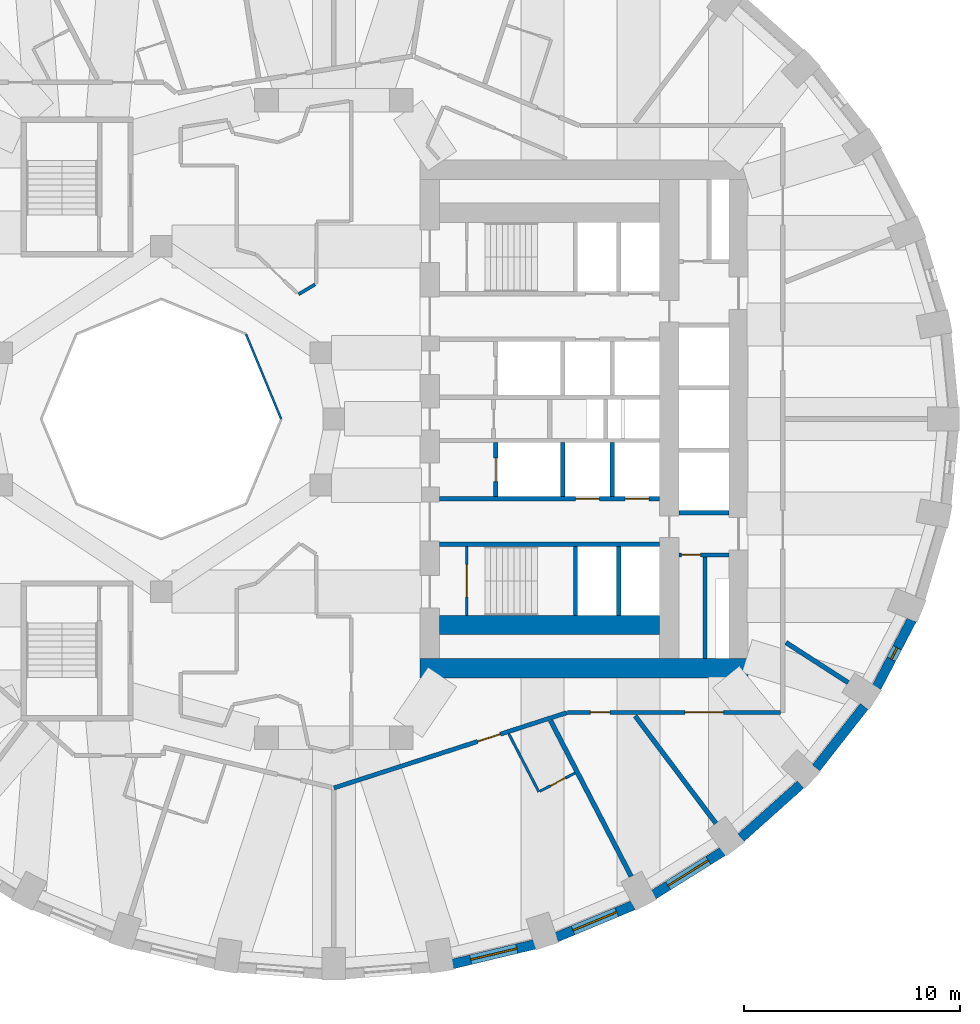
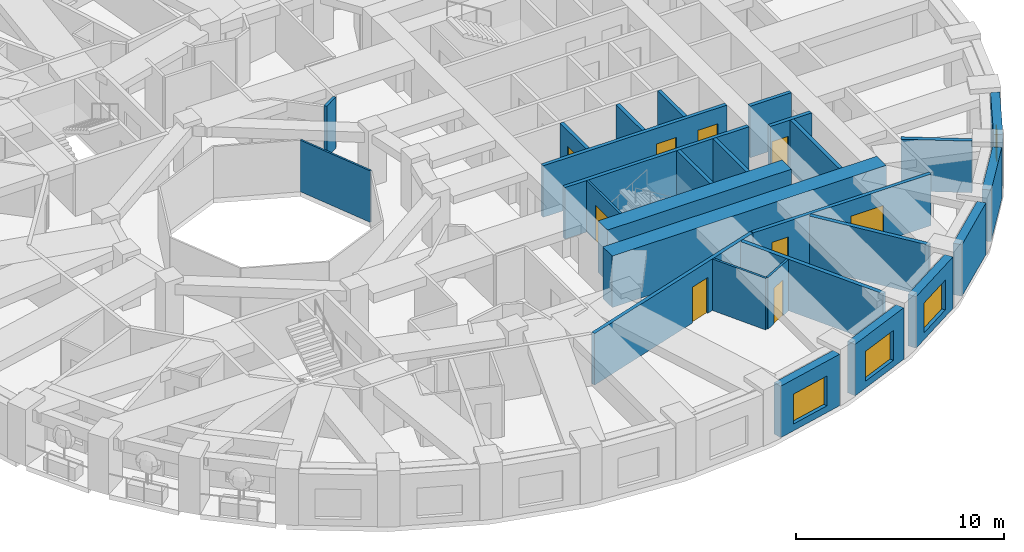
# One storey, part 5 of 13: 28 walls, 9 doors, 4 windows, 13 openings.
"""IFC4 building model written with IfcOpenShell, lengths in metres."""

from ifc_helpers import new_model, si_unit, direction, frame, frame_2d, origin, place, context, subcontext, project, spatial, rectangle, extrude, material, layer, layer_set, type_object, element, fill, save


model = new_model("IFC4")

# Units and contexts
model_context = context("Model", 3, precision=1e-05, world=origin(), true_north=direction((0.0, 1.0)))
body_context = subcontext(model_context, "Body", "Model", "MODEL_VIEW")
ifc_project = project(units=[si_unit("LENGTHUNIT", "METRE"), si_unit("AREAUNIT", "SQUARE_METRE"), si_unit("VOLUMEUNIT", "CUBIC_METRE"), si_unit("PLANEANGLEUNIT", "RADIAN"), si_unit("MASSUNIT", "GRAM", prefix="KILO")], contexts=[model_context])

# Site, building, storey
site_placement = place(None, origin())
site = spatial("IfcSite", under=ifc_project, at=site_placement, CompositionType="ELEMENT")
building_placement = place(site_placement, origin())
building = spatial("IfcBuilding", under=site, at=building_placement, Name="Taillehof Tower", CompositionType="ELEMENT")
storey_placement = place(building_placement, frame((0.0, 0.0, 58.0)))
storey = spatial("IfcBuildingStorey", under=building, at=storey_placement, Name="L15", CompositionType="ELEMENT", Elevation=58.0)

# Wall
ifc_material_1 = material(Name="Fire-resisting glass in steel frame", Category="steel")
ifc_layer_1 = layer(ifc_material_1, 0.10009765625)
ifc_layer_set_1 = layer_set([ifc_layer_1], Name="Atrium fire-resisting screen EI 60 100")
wall_type_1 = type_object("IfcWallType", Name="Atrium fire-resisting screen EI 60 100", PredefinedType="PARTITIONING", material=ifc_layer_set_1)
wall_1_placement = place(storey_placement, frame((-4.07275390625, 3.92724609375, 0.0), z_axis=(0.0, 0.0, 1.0), x_axis=(0.382730523909, -0.923860025149, 0.0)))
element("IfcWall", 1, at=wall_1_placement, inside=storey, type_object=wall_type_1, Name="Atrium screen", PredefinedType="PARTITIONING", context=body_context, shape_type="SweptSolid", body=[
    extrude(rectangle(XDim=4.2509765625, YDim=0.10009765625, at=frame_2d((2.12548828125, 0.0))), origin(), (0.0, 0.0, 1.0), 3.02001953125),
])

# Wall, opening, window
ifc_material_2 = material(Name="Brick masonry", Category="masonry")
ifc_layer_2 = layer(ifc_material_2, 0.449951171875)
ifc_layer_set_2 = layer_set([ifc_layer_2], Name="Brick infill wall 450")
wall_type_2 = type_object("IfcWallType", Name="Brick infill wall 450", PredefinedType="SOLIDWALL", material=ifc_layer_set_2)
wall_2_placement = place(storey_placement, frame((5.50439453125, -25.260498046875, 0.0), z_axis=(0.0, 0.0, 1.0), x_axis=(0.972496561493, 0.232917233979, 0.0)))
wall_2 = element("IfcWall", 2, at=wall_2_placement, inside=storey, type_object=wall_type_2, Name="Brick wall L15 bay 29", PredefinedType="SOLIDWALL", context=body_context, shape_type="SweptSolid", body=[
    extrude(rectangle(XDim=3.910888671875, YDim=0.449951171875, at=frame_2d((1.95556640625, 0.0))), origin(), (0.0, 0.0, 1.0), 3.02001953125),
])
opening_1_placement = place(wall_2_placement, frame((0.855224609375, 0.0, 0.39990234375)))
opening_1 = element("IfcOpeningElement", 3, at=opening_1_placement, cuts=wall_2, Name="Opening W1", PredefinedType="OPENING", context=body_context, shape_type="SweptSolid", body=[
    extrude(rectangle(XDim=2.199951171875, YDim=1.75, at=frame_2d((1.10009765625, 0.875))), frame((0.0, 0.23486328125, 0.0), z_axis=(0.0, -1.0, 0.0), x_axis=(1.0, 0.0, 0.0)), (0.0, 0.0, 1.0), 0.469970703125),
])
ifc_material_3 = material(Name="Aluminium window frame with clear double glazing", Category="aluminium")
window_type_1 = type_object("IfcWindowType", Name="Deep-set window 2200x1750", PartitioningType="SINGLE_PANEL", PredefinedType="WINDOW", material=ifc_material_3)
window_1_placement = place(opening_1_placement, origin())
window_1 = element("IfcWindow", 4, at=window_1_placement, inside=storey, type_object=window_type_1, Name="W1", OverallHeight=1.75, OverallWidth=2.199951171875, PartitioningType="SINGLE_PANEL", PredefinedType="WINDOW", context=body_context, shape_type="SweptSolid", body=[
    extrude(rectangle(XDim=2.199951171875, YDim=1.75, at=frame_2d((1.10009765625, 0.875))), frame((0.0, 0.034912109375, 0.0), z_axis=(0.0, -1.0, 0.0), x_axis=(1.0, 0.0, 0.0)), (0.0, 0.0, 1.0), 0.06005859375),
])
fill(opening_1, window_1)

wall_3_placement = place(storey_placement, frame((10.3154296875, -24.02099609375, 0.0), z_axis=(0.0, 0.0, 1.0), x_axis=(0.923031964282, 0.384723267966, 0.0)))
wall_3 = element("IfcWall", 5, at=wall_3_placement, inside=storey, type_object=wall_type_2, Name="Brick wall L15 bay 30", PredefinedType="SOLIDWALL", context=body_context, shape_type="SweptSolid", body=[
    extrude(rectangle(XDim=3.8564453125, YDim=0.449951171875, at=frame_2d((1.92822265625, 0.0))), origin(), (0.0, 0.0, 1.0), 3.02001953125),
])
opening_2_placement = place(wall_3_placement, frame((0.828125, 0.0, 0.39990234375)))
opening_2 = element("IfcOpeningElement", 6, at=opening_2_placement, cuts=wall_3, Name="Opening W1", PredefinedType="OPENING", context=body_context, shape_type="SweptSolid", body=[
    extrude(rectangle(XDim=2.199951171875, YDim=1.75, at=frame_2d((1.10009765625, 0.875))), frame((0.0, 0.23486328125, 0.0), z_axis=(0.0, -1.0, 0.0), x_axis=(1.0, 0.0, 0.0)), (0.0, 0.0, 1.0), 0.469970703125),
])
window_2_placement = place(opening_2_placement, origin())
window_2 = element("IfcWindow", 7, at=window_2_placement, inside=storey, type_object=window_type_1, Name="W1", OverallHeight=1.75, OverallWidth=2.199951171875, PartitioningType="SINGLE_PANEL", PredefinedType="WINDOW", context=body_context, shape_type="SweptSolid", body=[
    extrude(rectangle(XDim=2.199951171875, YDim=1.75, at=frame_2d((1.10009765625, 0.875))), frame((0.0, 0.034912109375, 0.0), z_axis=(0.0, -1.0, 0.0), x_axis=(1.0, 0.0, 0.0)), (0.0, 0.0, 1.0), 0.06005859375),
])
fill(opening_2, window_2)

wall_4_placement = place(storey_placement, frame((14.81689453125, -22.050537109375, 0.0), z_axis=(0.0, 0.0, 1.0), x_axis=(0.847635480093, 0.530579016629, 0.0)))
wall_4 = element("IfcWall", 8, at=wall_4_placement, inside=storey, type_object=wall_type_2, Name="Brick wall L15 bay 31", PredefinedType="SOLIDWALL", context=body_context, shape_type="SweptSolid", body=[
    extrude(rectangle(XDim=3.782470703125, YDim=0.449951171875, at=frame_2d((1.89111328125, 0.0))), origin(), (0.0, 0.0, 1.0), 3.02001953125),
])
opening_3_placement = place(wall_4_placement, frame((0.791259765625, 0.0, 0.39990234375)))
opening_3 = element("IfcOpeningElement", 9, at=opening_3_placement, cuts=wall_4, Name="Opening W1", PredefinedType="OPENING", context=body_context, shape_type="SweptSolid", body=[
    extrude(rectangle(XDim=2.199951171875, YDim=1.75, at=frame_2d((1.10009765625, 0.875))), frame((0.0, 0.23486328125, 0.0), z_axis=(0.0, -1.0, 0.0), x_axis=(1.0, 0.0, 0.0)), (0.0, 0.0, 1.0), 0.469970703125),
])
window_3_placement = place(opening_3_placement, origin())
window_3 = element("IfcWindow", 10, at=window_3_placement, inside=storey, type_object=window_type_1, Name="W1", OverallHeight=1.75, OverallWidth=2.199951171875, PartitioningType="SINGLE_PANEL", PredefinedType="WINDOW", context=body_context, shape_type="SweptSolid", body=[
    extrude(rectangle(XDim=2.199951171875, YDim=1.75, at=frame_2d((1.10009765625, 0.875))), frame((0.0, 0.034912109375, 0.0), z_axis=(0.0, -1.0, 0.0), x_axis=(1.0, 0.0, 0.0)), (0.0, 0.0, 1.0), 0.06005859375),
])
fill(opening_3, window_3)

# Walls
wall_5_placement = place(storey_placement, frame((18.87060546875, -19.406982421875, 0.0), z_axis=(0.0, 0.0, 1.0), x_axis=(0.745526233716, 0.66647628228, 0.0)))
element("IfcWall", 11, at=wall_5_placement, inside=storey, type_object=wall_type_2, Name="Brick wall L15 bay 32", PredefinedType="SOLIDWALL", context=body_context, shape_type="SweptSolid", body=[
    extrude(rectangle(XDim=3.69677734375, YDim=0.449951171875, at=frame_2d((1.848388671875, 0.0))), origin(), (0.0, 0.0, 1.0), 3.02001953125),
])
wall_6_placement = place(storey_placement, frame((22.3515625, -16.169677734375, 0.0), z_axis=(0.0, 0.0, 1.0), x_axis=(0.616661975264, 0.787228053529, 0.0)))
element("IfcWall", 12, at=wall_6_placement, inside=storey, type_object=wall_type_2, Name="Brick wall L15 bay 33", PredefinedType="SOLIDWALL", context=body_context, shape_type="SweptSolid", body=[
    extrude(rectangle(XDim=3.60986328125, YDim=0.449951171875, at=frame_2d((1.804931640625, 0.0))), origin(), (0.0, 0.0, 1.0), 3.02001953125),
])

# Wall, opening, window
wall_7_placement = place(storey_placement, frame((25.152099609375, -12.436767578125, 0.0), z_axis=(0.0, 0.0, 1.0), x_axis=(0.462492775226, 0.886623050041, 0.0)))
wall_7 = element("IfcWall", 13, at=wall_7_placement, inside=storey, type_object=wall_type_2, Name="Brick wall L15 bay 34", PredefinedType="SOLIDWALL", context=body_context, shape_type="SweptSolid", body=[
    extrude(rectangle(XDim=3.531982421875, YDim=0.449951171875, at=frame_2d((1.76611328125, 0.0))), origin(), (0.0, 0.0, 1.0), 3.02001953125),
])
opening_4_placement = place(wall_7_placement, frame((1.466064453125, 0.0, 0.39990234375)))
opening_4 = element("IfcOpeningElement", 14, at=opening_4_placement, cuts=wall_7, Name="Opening W6", PredefinedType="OPENING", context=body_context, shape_type="SweptSolid", body=[
    extrude(rectangle(XDim=0.60009765625, YDim=1.75, at=frame_2d((0.300048828125, 0.875))), frame((0.0, 0.23486328125, 0.0), z_axis=(0.0, -1.0, 0.0), x_axis=(1.0, 0.0, 0.0)), (0.0, 0.0, 1.0), 0.469970703125),
])
ifc_material_4 = material(Name="Aluminium window frame with clear double glazing", Category="aluminium")
window_type_2 = type_object("IfcWindowType", Name="Slot window 600x1750", PartitioningType="SINGLE_PANEL", PredefinedType="WINDOW", material=ifc_material_4)
window_4_placement = place(opening_4_placement, origin())
window_4 = element("IfcWindow", 15, at=window_4_placement, inside=storey, type_object=window_type_2, Name="W6", OverallHeight=1.75, OverallWidth=0.60009765625, PartitioningType="SINGLE_PANEL", PredefinedType="WINDOW", context=body_context, shape_type="SweptSolid", body=[
    extrude(rectangle(XDim=0.60009765625, YDim=1.75, at=frame_2d((0.300048828125, 0.875))), frame((0.0, 0.034912109375, 0.0), z_axis=(0.0, -1.0, 0.0), x_axis=(1.0, 0.0, 0.0)), (0.0, 0.0, 1.0), 0.06005859375),
])
fill(opening_4, window_4)

# Wall, opening, door
ifc_material_5 = material(Name="Calcium silicate masonry", Category="masonry")
ifc_layer_3 = layer(ifc_material_5, 0.199951171875)
ifc_layer_set_3 = layer_set([ifc_layer_3], Name="Compartment wall calcium silicate 200")
wall_type_3 = type_object("IfcWallType", Name="Compartment wall calcium silicate 200", PredefinedType="PARTITIONING", material=ifc_layer_set_3)
wall_8_placement = place(storey_placement, frame((16.0, -6.300048828125, 0.0), z_axis=(0.0, 0.0, 1.0), x_axis=(1.0, 0.0, 0.0)))
wall_8 = element("IfcWall", 16, at=wall_8_placement, inside=storey, type_object=wall_type_3, Name="Compartment wall FW", PredefinedType="PARTITIONING", context=body_context, shape_type="SweptSolid", body=[
    extrude(rectangle(XDim=2.300048828125, YDim=0.199951171875, at=frame_2d((1.14990234375, 0.0))), origin(), (0.0, 0.0, 1.0), 3.02001953125),
])
opening_5_placement = place(wall_8_placement, frame((0.10009765625, 0.0, 0.0)))
opening_5 = element("IfcOpeningElement", 17, at=opening_5_placement, cuts=wall_8, Name="Opening D1518", PredefinedType="OPENING", context=body_context, shape_type="SweptSolid", body=[
    extrude(rectangle(XDim=0.89990234375, YDim=2.10009765625, at=frame_2d((0.449951171875, 1.050048828125))), frame((0.0, 0.10986328125, 0.0), z_axis=(0.0, -1.0, 0.0), x_axis=(1.0, 0.0, 0.0)), (0.0, 0.0, 1.0), 0.219970703125),
])
ifc_material_6 = material(Name="Steel-faced fire door", Category="steel")
door_type_1 = type_object("IfcDoorType", Name="Riser and service room door 900x2100", OperationType="SINGLE_SWING_LEFT", PredefinedType="DOOR", material=ifc_material_6)
door_1_placement = place(opening_5_placement, origin())
door_1 = element("IfcDoor", 18, at=door_1_placement, inside=storey, type_object=door_type_1, Name="Door Ice Room", OperationType="SINGLE_SWING_LEFT", OverallHeight=2.10009765625, OverallWidth=0.89990234375, PredefinedType="DOOR", context=body_context, shape_type="SweptSolid", body=[
    extrude(rectangle(XDim=0.89990234375, YDim=2.10009765625, at=frame_2d((0.449951171875, 1.050048828125))), frame((0.0, 0.02490234375, 0.0), z_axis=(0.0, -1.0, 0.0), x_axis=(1.0, 0.0, 0.0)), (0.0, 0.0, 1.0), 0.050048828125),
])
fill(opening_5, door_1)

# Wall
wall_9_placement = place(storey_placement, frame((17.199951171875, -11.10009765625, 0.0), z_axis=(0.0, 0.0, 1.0), x_axis=(0.0, 1.0, 0.0)))
element("IfcWall", 19, at=wall_9_placement, inside=storey, type_object=wall_type_3, Name="Compartment wall FW", PredefinedType="PARTITIONING", context=body_context, shape_type="SweptSolid", body=[
    extrude(rectangle(XDim=4.7001953125, YDim=0.199951171875, at=frame_2d((2.35009765625, 0.0))), origin(), (0.0, 0.0, 1.0), 3.02001953125),
])

# Wall, openings, doors
ifc_material_7 = material(Name="Gypsum board on steel studs, two layers each side", Category="steel")
ifc_layer_4 = layer(ifc_material_7, 0.199951171875)
ifc_layer_set_4 = layer_set([ifc_layer_4], Name="Compartment wall corridor 200")
wall_type_4 = type_object("IfcWallType", Name="Compartment wall corridor 200", PredefinedType="PARTITIONING", material=ifc_layer_set_4)
wall_10_placement = place(storey_placement, frame((20.699951171875, -13.60009765625, 0.0), z_axis=(0.0, 0.0, 1.0), x_axis=(-1.0, 0.0, 0.0)))
wall_10 = element("IfcWall", 20, at=wall_10_placement, inside=storey, type_object=wall_type_4, Name="Compartment wall", PredefinedType="PARTITIONING", context=body_context, shape_type="SweptSolid", body=[
    extrude(rectangle(XDim=9.86962890625, YDim=0.199951171875, at=frame_2d((4.934814453125, 0.0))), origin(), (0.0, 0.0, 1.0), 3.02001953125),
])
opening_6_placement = place(wall_10_placement, frame((7.9091796875, 0.0, 0.0)))
opening_6 = element("IfcOpeningElement", 21, at=opening_6_placement, cuts=wall_10, Name="Opening D1563", PredefinedType="OPENING", context=body_context, shape_type="SweptSolid", body=[
    extrude(rectangle(XDim=0.89990234375, YDim=2.10009765625, at=frame_2d((0.449951171875, 1.050048828125))), frame((0.0, 0.10986328125, 0.0), z_axis=(0.0, -1.0, 0.0), x_axis=(1.0, 0.0, 0.0)), (0.0, 0.0, 1.0), 0.219970703125),
])
opening_7_placement = place(wall_10_placement, frame((2.6376953125, 0.0, 0.0)))
opening_7 = element("IfcOpeningElement", 22, at=opening_7_placement, cuts=wall_10, Name="Opening D1564", PredefinedType="OPENING", context=body_context, shape_type="SweptSolid", body=[
    extrude(rectangle(XDim=1.800048828125, YDim=2.10009765625, at=frame_2d((0.89990234375, 1.050048828125))), frame((0.0, 0.10986328125, 0.0), z_axis=(0.0, -1.0, 0.0), x_axis=(1.0, 0.0, 0.0)), (0.0, 0.0, 1.0), 0.219970703125),
])
ifc_material_8 = material(Name="Timber door leaf in steel frame", Category="steel")
door_type_2 = type_object("IfcDoorType", Name="Lounge and meeting room double door EI 30 1800 x 2100", OperationType="SINGLE_SWING_LEFT", PredefinedType="DOOR", material=ifc_material_8)
door_2_placement = place(opening_7_placement, origin())
door_2 = element("IfcDoor", 23, at=door_2_placement, inside=storey, type_object=door_type_2, Name="D1564", OperationType="DOUBLE_DOOR_SINGLE_SWING", OverallHeight=2.10009765625, OverallWidth=1.800048828125, PredefinedType="DOOR", context=body_context, shape_type="SweptSolid", body=[
    extrude(rectangle(XDim=1.800048828125, YDim=2.10009765625, at=frame_2d((0.89990234375, 1.050048828125))), frame((0.0, 0.02490234375, 0.0), z_axis=(0.0, -1.0, 0.0), x_axis=(1.0, 0.0, 0.0)), (0.0, 0.0, 1.0), 0.050048828125),
])
fill(opening_7, door_2)
ifc_material_9 = material(Name="Timber door leaf in steel frame", Category="steel")
door_type_3 = type_object("IfcDoorType", Name="Service room door EI 30 900 x 2100", OperationType="SINGLE_SWING_LEFT", PredefinedType="DOOR", material=ifc_material_9)
door_3_placement = place(opening_6_placement, origin())
door_3 = element("IfcDoor", 24, at=door_3_placement, inside=storey, type_object=door_type_3, Name="D1563", OperationType="SINGLE_SWING_RIGHT", OverallHeight=2.10009765625, OverallWidth=0.89990234375, PredefinedType="DOOR", context=body_context, shape_type="SweptSolid", body=[
    extrude(rectangle(XDim=0.89990234375, YDim=2.10009765625, at=frame_2d((0.449951171875, 1.050048828125))), frame((0.0, 0.02490234375, 0.0), z_axis=(0.0, -1.0, 0.0), x_axis=(1.0, 0.0, 0.0)), (0.0, 0.0, 1.0), 0.050048828125),
])
fill(opening_6, door_3)

# Wall, opening, door
wall_11_placement = place(storey_placement, frame((10.792236328125, -13.6123046875, 0.0), z_axis=(0.0, 0.0, 1.0), x_axis=(-0.951542928403, -0.307515943336, 0.0)))
wall_11 = element("IfcWall", 25, at=wall_11_placement, inside=storey, type_object=wall_type_4, Name="Compartment wall", PredefinedType="PARTITIONING", context=body_context, shape_type="SweptSolid", body=[
    extrude(rectangle(XDim=11.341796875, YDim=0.199951171875, at=frame_2d((5.6708984375, 0.0))), origin(), (0.0, 0.0, 1.0), 3.02001953125),
])
opening_8_placement = place(wall_11_placement, frame((3.238525390625, 0.0, 0.0)))
opening_8 = element("IfcOpeningElement", 26, at=opening_8_placement, cuts=wall_11, Name="Opening D1561", PredefinedType="OPENING", context=body_context, shape_type="SweptSolid", body=[
    extrude(rectangle(XDim=1.10009765625, YDim=2.10009765625, at=frame_2d((0.550048828125, 1.050048828125))), frame((0.0, 0.10986328125, 0.0), z_axis=(0.0, -1.0, 0.0), x_axis=(1.0, 0.0, 0.0)), (0.0, 0.0, 1.0), 0.219970703125),
])
ifc_material_10 = material(Name="Timber door leaf in steel frame", Category="steel")
door_type_4 = type_object("IfcDoorType", Name="Suite entrance door EI 30 1100 x 2100", OperationType="SINGLE_SWING_LEFT", PredefinedType="DOOR", material=ifc_material_10)
door_4_placement = place(opening_8_placement, origin())
door_4 = element("IfcDoor", 27, at=door_4_placement, inside=storey, type_object=door_type_4, Name="D1561", OperationType="SINGLE_SWING_LEFT", OverallHeight=2.10009765625, OverallWidth=1.10009765625, PredefinedType="DOOR", context=body_context, shape_type="SweptSolid", body=[
    extrude(rectangle(XDim=1.10009765625, YDim=2.10009765625, at=frame_2d((0.550048828125, 1.050048828125))), frame((0.0, 0.02490234375, 0.0), z_axis=(0.0, -1.0, 0.0), x_axis=(1.0, 0.0, 0.0)), (0.0, 0.0, 1.0), 0.050048828125),
])
fill(opening_8, door_4)

# Walls
ifc_material_11 = material(Name="Gypsum board on double steel studs with mineral wool", Category="steel")
ifc_layer_5 = layer(ifc_material_11, 0.219970703125)
ifc_layer_set_5 = layer_set([ifc_layer_5], Name="Compartment wall guest room 220")
wall_type_5 = type_object("IfcWallType", Name="Compartment wall guest room 220", PredefinedType="PARTITIONING", material=ifc_layer_set_5)
wall_12_placement = place(storey_placement, frame((13.7802734375, -21.201171875, 0.0), z_axis=(0.0, 0.0, 1.0), x_axis=(-0.459685115008, 0.888081975405, 0.0)))
element("IfcWall", 28, at=wall_12_placement, inside=storey, type_object=wall_type_5, Name="Compartment wall", PredefinedType="PARTITIONING", context=body_context, shape_type="SweptSolid", body=[
    extrude(rectangle(XDim=8.130615234375, YDim=0.219970703125, at=frame_2d((4.0654296875, 0.0))), origin(), (0.0, 0.0, 1.0), 3.02001953125),
])
wall_13_placement = place(storey_placement, frame((17.707763671875, -18.7431640625, 0.0), z_axis=(0.0, 0.0, 1.0), x_axis=(-0.601177883261, 0.799115231164, 0.0)))
element("IfcWall", 29, at=wall_13_placement, inside=storey, type_object=wall_type_5, Name="Compartment wall", PredefinedType="PARTITIONING", context=body_context, shape_type="SweptSolid", body=[
    extrude(rectangle(XDim=6.231201171875, YDim=0.219970703125, at=frame_2d((3.11572265625, 0.0))), origin(), (0.0, 0.0, 1.0), 3.02001953125),
])
wall_14_placement = place(storey_placement, frame((23.834716796875, -12.218994140625, 0.0), z_axis=(0.0, 0.0, 1.0), x_axis=(-0.840694872373, 0.541509124176, 0.0)))
element("IfcWall", 30, at=wall_14_placement, inside=storey, type_object=wall_type_5, Name="Compartment wall", PredefinedType="PARTITIONING", context=body_context, shape_type="SweptSolid", body=[
    extrude(rectangle(XDim=3.430419921875, YDim=0.219970703125, at=frame_2d((1.71533203125, 0.0))), origin(), (0.0, 0.0, 1.0), 3.02001953125),
])
ifc_material_12 = material(Name="Gypsum board on steel studs, two layers each side", Category="steel")
ifc_layer_6 = layer(ifc_material_12, 0.14990234375)
ifc_layer_set_6 = layer_set([ifc_layer_6], Name="Compartment wall service room 150")
wall_type_6 = type_object("IfcWallType", Name="Compartment wall service room 150", PredefinedType="PARTITIONING", material=ifc_layer_set_6)
wall_15_placement = place(storey_placement, frame((-0.87353515625, 6.234375, 0.0), z_axis=(0.0, 0.0, 1.0), x_axis=(-0.857759476535, -0.514051242984, 0.0)))
element("IfcWall", 31, at=wall_15_placement, inside=storey, type_object=wall_type_6, Name="Compartment wall", PredefinedType="PARTITIONING", context=body_context, shape_type="SweptSolid", body=[
    extrude(rectangle(XDim=0.888671875, YDim=0.14990234375, at=frame_2d((0.4443359375, 0.0))), origin(), (0.0, 0.0, 1.0), 3.02001953125),
])
ifc_material_13 = material(Name="Concrete C80/95", Category="concrete")
ifc_layer_7 = layer(ifc_material_13, 0.89990234375)
ifc_layer_set_7 = layer_set([ifc_layer_7], Name="Core wall C80/95 900")
wall_type_7 = type_object("IfcWallType", Name="Core wall C80/95 900", PredefinedType="SHEAR", material=ifc_layer_set_7)
wall_16_placement = place(storey_placement, frame((4.0, -11.550048828125, 0.0), z_axis=(0.0, 0.0, 1.0), x_axis=(1.0, 0.0, 0.0)))
element("IfcWall", 32, at=wall_16_placement, inside=storey, type_object=wall_type_7, Name="Core wall CW04", PredefinedType="SHEAR", context=body_context, shape_type="SweptSolid", body=[
    extrude(rectangle(XDim=15.199951171875, YDim=0.89990234375, at=frame_2d((7.60009765625, 0.0))), origin(), (0.0, 0.0, 1.0), 3.02001953125),
])
wall_17_placement = place(storey_placement, frame((4.89990234375, -9.550048828125, 0.0), z_axis=(0.0, 0.0, 1.0), x_axis=(1.0, 0.0, 0.0)))
element("IfcWall", 33, at=wall_17_placement, inside=storey, type_object=wall_type_7, Name="Core wall CW07", PredefinedType="SHEAR", context=body_context, shape_type="SweptSolid", body=[
    extrude(rectangle(XDim=10.2001953125, YDim=0.89990234375, at=frame_2d((5.10009765625, 0.0))), origin(), (0.0, 0.0, 1.0), 3.02001953125),
])
ifc_material_14 = material(Name="Gypsum board on steel studs, moisture resistant", Category="steel")
ifc_layer_8 = layer(ifc_material_14, 0.1201171875)
ifc_layer_set_8 = layer_set([ifc_layer_8], Name="En-suite wall 120")
wall_type_8 = type_object("IfcWallType", Name="En-suite wall 120", PredefinedType="PARTITIONING", material=ifc_layer_set_8)
wall_18_placement = place(storey_placement, frame((8.104248046875, -14.586181640625, 0.0), z_axis=(0.0, 0.0, 1.0), x_axis=(0.459668270166, -0.888090694357, 0.0)))
element("IfcWall", 34, at=wall_18_placement, inside=storey, type_object=wall_type_8, Name="En-suite wall", PredefinedType="PARTITIONING", context=body_context, shape_type="SweptSolid", body=[
    extrude(rectangle(XDim=3.03173828125, YDim=0.1201171875, at=frame_2d((1.515869140625, 0.0))), origin(), (0.0, 0.0, 1.0), 3.02001953125),
])

# Wall, opening, door
wall_19_placement = place(storey_placement, frame((9.551025390625, -17.2509765625, 0.0), z_axis=(0.0, 0.0, 1.0), x_axis=(0.88806930088, 0.459709600546, 0.0)))
wall_19 = element("IfcWall", 35, at=wall_19_placement, inside=storey, type_object=wall_type_8, Name="En-suite wall", PredefinedType="PARTITIONING", context=body_context, shape_type="SweptSolid", body=[
    extrude(rectangle(XDim=1.830078125, YDim=0.1201171875, at=frame_2d((0.9150390625, 0.0))), origin(), (0.0, 0.0, 1.0), 3.02001953125),
])
opening_9_placement = place(wall_19_placement, frame((0.5400390625, 0.0, 0.0)))
opening_9 = element("IfcOpeningElement", 36, at=opening_9_placement, cuts=wall_19, Name="Opening D1562", PredefinedType="OPENING", context=body_context, shape_type="SweptSolid", body=[
    extrude(rectangle(XDim=0.800048828125, YDim=2.10009765625, at=frame_2d((0.39990234375, 1.050048828125))), frame((0.0, 0.070068359375, 0.0), z_axis=(0.0, -1.0, 0.0), x_axis=(1.0, 0.0, 0.0)), (0.0, 0.0, 1.0), 0.14013671875),
])
ifc_material_15 = material(Name="Timber door leaf in steel frame", Category="steel")
door_type_5 = type_object("IfcDoorType", Name="En-suite door 800 x 2100", OperationType="SINGLE_SWING_LEFT", PredefinedType="DOOR", material=ifc_material_15)
door_5_placement = place(opening_9_placement, origin())
door_5 = element("IfcDoor", 37, at=door_5_placement, inside=storey, type_object=door_type_5, Name="D1562", OperationType="SINGLE_SWING_RIGHT", OverallHeight=2.10009765625, OverallWidth=0.800048828125, PredefinedType="DOOR", context=body_context, shape_type="SweptSolid", body=[
    extrude(rectangle(XDim=0.800048828125, YDim=2.10009765625, at=frame_2d((0.39990234375, 1.050048828125))), frame((0.0, 0.02490234375, 0.0), z_axis=(0.0, -1.0, 0.0), x_axis=(1.0, 0.0, 0.0)), (0.0, 0.0, 1.0), 0.050048828125),
])
fill(opening_9, door_5)

# Wall, openings, doors
ifc_material_16 = material(Name="Concrete C50/60", Category="concrete")
ifc_layer_9 = layer(ifc_material_16, 0.199951171875)
ifc_layer_set_9 = layer_set([ifc_layer_9], Name="Shaft wall C50/60 200")
wall_type_9 = type_object("IfcWallType", Name="Shaft wall C50/60 200", PredefinedType="SHEAR", material=ifc_layer_set_9)
wall_20_placement = place(storey_placement, frame((4.89990234375, -3.699951171875, 0.0), z_axis=(0.0, 0.0, 1.0), x_axis=(1.0, 0.0, 0.0)))
wall_20 = element("IfcWall", 38, at=wall_20_placement, inside=storey, type_object=wall_type_9, Name="Shaft wall SW", PredefinedType="SHEAR", context=body_context, shape_type="SweptSolid", body=[
    extrude(rectangle(XDim=10.2001953125, YDim=0.199951171875, at=frame_2d((5.10009765625, 0.0))), origin(), (0.0, 0.0, 1.0), 3.02001953125),
])
opening_10_placement = place(wall_20_placement, frame((6.300048828125, 0.0, 0.0)))
opening_10 = element("IfcOpeningElement", 39, at=opening_10_placement, cuts=wall_20, Name="Opening LD1", PredefinedType="OPENING", context=body_context, shape_type="SweptSolid", body=[
    extrude(rectangle(XDim=1.10009765625, YDim=2.10009765625, at=frame_2d((0.550048828125, 1.050048828125))), frame((0.0, 0.10986328125, 0.0), z_axis=(0.0, -1.0, 0.0), x_axis=(1.0, 0.0, 0.0)), (0.0, 0.0, 1.0), 0.219970703125),
])
opening_11_placement = place(wall_20_placement, frame((8.60009765625, 0.0, 0.0)))
opening_11 = element("IfcOpeningElement", 40, at=opening_11_placement, cuts=wall_20, Name="Opening LD1", PredefinedType="OPENING", context=body_context, shape_type="SweptSolid", body=[
    extrude(rectangle(XDim=1.10009765625, YDim=2.10009765625, at=frame_2d((0.550048828125, 1.050048828125))), frame((0.0, 0.10986328125, 0.0), z_axis=(0.0, -1.0, 0.0), x_axis=(1.0, 0.0, 0.0)), (0.0, 0.0, 1.0), 0.219970703125),
])
ifc_material_17 = material(Name="Stainless steel", Category="steel")
door_type_6 = type_object("IfcDoorType", Name="Lift landing door LD1 1100x2100", OperationType="DOUBLE_DOOR_SLIDING", PredefinedType="DOOR", material=ifc_material_17)
door_6_placement = place(opening_10_placement, origin())
door_6 = element("IfcDoor", 41, at=door_6_placement, inside=storey, type_object=door_type_6, Name="Landing door LR5", OperationType="DOUBLE_DOOR_SLIDING", OverallHeight=2.10009765625, OverallWidth=1.10009765625, PredefinedType="DOOR", context=body_context, shape_type="SweptSolid", body=[
    extrude(rectangle(XDim=1.10009765625, YDim=2.10009765625, at=frame_2d((0.550048828125, 1.050048828125))), frame((0.0, 0.02490234375, 0.0), z_axis=(0.0, -1.0, 0.0), x_axis=(1.0, 0.0, 0.0)), (0.0, 0.0, 1.0), 0.050048828125),
])
fill(opening_10, door_6)
door_7_placement = place(opening_11_placement, origin())
door_7 = element("IfcDoor", 42, at=door_7_placement, inside=storey, type_object=door_type_6, Name="Landing door LR6", OperationType="DOUBLE_DOOR_SLIDING", OverallHeight=2.10009765625, OverallWidth=1.10009765625, PredefinedType="DOOR", context=body_context, shape_type="SweptSolid", body=[
    extrude(rectangle(XDim=1.10009765625, YDim=2.10009765625, at=frame_2d((0.550048828125, 1.050048828125))), frame((0.0, 0.02490234375, 0.0), z_axis=(0.0, -1.0, 0.0), x_axis=(1.0, 0.0, 0.0)), (0.0, 0.0, 1.0), 0.050048828125),
])
fill(opening_11, door_7)

# Walls
wall_21_placement = place(storey_placement, frame((4.89990234375, -5.800048828125, 0.0), z_axis=(0.0, 0.0, 1.0), x_axis=(1.0, 0.0, 0.0)))
element("IfcWall", 43, at=wall_21_placement, inside=storey, type_object=wall_type_9, Name="Shaft wall SW", PredefinedType="SHEAR", context=body_context, shape_type="SweptSolid", body=[
    extrude(rectangle(XDim=10.2001953125, YDim=0.199951171875, at=frame_2d((5.10009765625, 0.0))), origin(), (0.0, 0.0, 1.0), 3.02001953125),
])
for number, where, z_axis, x_axis, name in (
    (44, (11.199951171875, -9.10009765625, 0.0), (0.0, 0.0, 1.0), (0.0, 1.0, 0.0), "Shaft wall SW"),
    (45, (13.199951171875, -9.10009765625, 0.0), (0.0, 0.0, 1.0), (0.0, 1.0, 0.0), "Shaft wall SW"),
):
    element("IfcWall", number, at=place(storey_placement, frame(where, z_axis=z_axis, x_axis=x_axis)), inside=storey, type_object=wall_type_9, Name=name, PredefinedType="SHEAR", context=body_context, shape_type="SweptSolid", body=[
        extrude(rectangle(XDim=3.2001953125, YDim=0.199951171875, at=frame_2d((1.60009765625, 0.0))), origin(), (0.0, 0.0, 1.0), 3.02001953125),
    ])

# Wall, opening, door
wall_22_placement = place(storey_placement, frame((7.5, -3.60009765625, 0.0), z_axis=(0.0, 0.0, 1.0), x_axis=(0.0, 1.0, 0.0)))
wall_22 = element("IfcWall", 46, at=wall_22_placement, inside=storey, type_object=wall_type_9, Name="Shaft wall SW", PredefinedType="SHEAR", context=body_context, shape_type="SweptSolid", body=[
    extrude(rectangle(XDim=2.5, YDim=0.199951171875, at=frame_2d((1.25, 0.0))), origin(), (0.0, 0.0, 1.0), 3.02001953125),
])
opening_12_placement = place(wall_22_placement, frame((0.699951171875, 0.0, 0.0)))
opening_12 = element("IfcOpeningElement", 47, at=opening_12_placement, cuts=wall_22, Name="Opening LD1", PredefinedType="OPENING", context=body_context, shape_type="SweptSolid", body=[
    extrude(rectangle(XDim=1.10009765625, YDim=2.10009765625, at=frame_2d((0.550048828125, 1.050048828125))), frame((0.0, 0.10986328125, 0.0), z_axis=(0.0, -1.0, 0.0), x_axis=(1.0, 0.0, 0.0)), (0.0, 0.0, 1.0), 0.219970703125),
])
door_8_placement = place(opening_12_placement, origin())
door_8 = element("IfcDoor", 48, at=door_8_placement, inside=storey, type_object=door_type_6, Name="Landing door FF2", OperationType="DOUBLE_DOOR_SLIDING", OverallHeight=2.10009765625, OverallWidth=1.10009765625, PredefinedType="DOOR", context=body_context, shape_type="SweptSolid", body=[
    extrude(rectangle(XDim=1.10009765625, YDim=2.10009765625, at=frame_2d((0.550048828125, 1.050048828125))), frame((0.0, 0.02490234375, 0.0), z_axis=(0.0, -1.0, 0.0), x_axis=(1.0, 0.0, 0.0)), (0.0, 0.0, 1.0), 0.050048828125),
])
fill(opening_12, door_8)

# Walls
for number, where, z_axis, x_axis, name in (
    (49, (10.60009765625, -3.60009765625, 0.0), (0.0, 0.0, 1.0), (0.0, 1.0, 0.0), "Shaft wall SW"),
    (50, (12.89990234375, -3.60009765625, 0.0), (0.0, 0.0, 1.0), (0.0, 1.0, 0.0), "Shaft wall SW"),
):
    element("IfcWall", number, at=place(storey_placement, frame(where, z_axis=z_axis, x_axis=x_axis)), inside=storey, type_object=wall_type_9, Name=name, PredefinedType="SHEAR", context=body_context, shape_type="SweptSolid", body=[
        extrude(rectangle(XDim=2.5, YDim=0.199951171875, at=frame_2d((1.25, 0.0))), origin(), (0.0, 0.0, 1.0), 3.02001953125),
    ])
wall_23_placement = place(storey_placement, frame((16.0, -4.35009765625, 0.0), z_axis=(0.0, 0.0, 1.0), x_axis=(1.0, 0.0, 0.0)))
element("IfcWall", 51, at=wall_23_placement, inside=storey, type_object=wall_type_9, Name="Shaft wall SW", PredefinedType="SHEAR", context=body_context, shape_type="SweptSolid", body=[
    extrude(rectangle(XDim=2.300048828125, YDim=0.199951171875, at=frame_2d((1.14990234375, 0.0))), origin(), (0.0, 0.0, 1.0), 3.02001953125),
])

# Wall, opening, door
ifc_material_18 = material(Name="Concrete C50/60", Category="concrete")
ifc_layer_10 = layer(ifc_material_18, 0.1201171875)
ifc_layer_set_10 = layer_set([ifc_layer_10], Name="Stair lobby wall C50/60 120")
wall_type_10 = type_object("IfcWallType", Name="Stair lobby wall C50/60 120", PredefinedType="SHEAR", material=ifc_layer_set_10)
wall_24_placement = place(storey_placement, frame((6.159912109375, -9.10009765625, 0.0), z_axis=(0.0, 0.0, 1.0), x_axis=(0.0, 1.0, 0.0)))
wall_24 = element("IfcWall", 52, at=wall_24_placement, inside=storey, type_object=wall_type_10, Name="Compartment wall SW", PredefinedType="SHEAR", context=body_context, shape_type="SweptSolid", body=[
    extrude(rectangle(XDim=3.2001953125, YDim=0.1201171875, at=frame_2d((1.60009765625, 0.0))), origin(), (0.0, 0.0, 1.0), 3.02001953125),
])
opening_13_placement = place(wall_24_placement, frame((0.85009765625, 0.0, 0.0)))
opening_13 = element("IfcOpeningElement", 53, at=opening_13_placement, cuts=wall_24, Name="Opening D1511", PredefinedType="OPENING", context=body_context, shape_type="SweptSolid", body=[
    extrude(rectangle(XDim=1.5, YDim=2.10009765625, at=frame_2d((0.75, 1.050048828125))), frame((0.0, 0.070068359375, 0.0), z_axis=(0.0, -1.0, 0.0), x_axis=(1.0, 0.0, 0.0)), (0.0, 0.0, 1.0), 0.14013671875),
])
ifc_material_19 = material(Name="Steel-faced fire door", Category="steel")
door_type_7 = type_object("IfcDoorType", Name="Stair door 1500x2100", OperationType="DOUBLE_DOOR_SINGLE_SWING", PredefinedType="DOOR", material=ifc_material_19)
door_9_placement = place(opening_13_placement, origin())
door_9 = element("IfcDoor", 54, at=door_9_placement, inside=storey, type_object=door_type_7, Name="Stair lobby door S2", OperationType="DOUBLE_DOOR_SINGLE_SWING", OverallHeight=2.10009765625, OverallWidth=1.5, PredefinedType="DOOR", context=body_context, shape_type="SweptSolid", body=[
    extrude(rectangle(XDim=1.5, YDim=2.10009765625, at=frame_2d((0.75, 1.050048828125))), frame((0.0, 0.02490234375, 0.0), z_axis=(0.0, -1.0, 0.0), x_axis=(1.0, 0.0, 0.0)), (0.0, 0.0, 1.0), 0.050048828125),
])
fill(opening_13, door_9)

save(model, "model.ifc")
